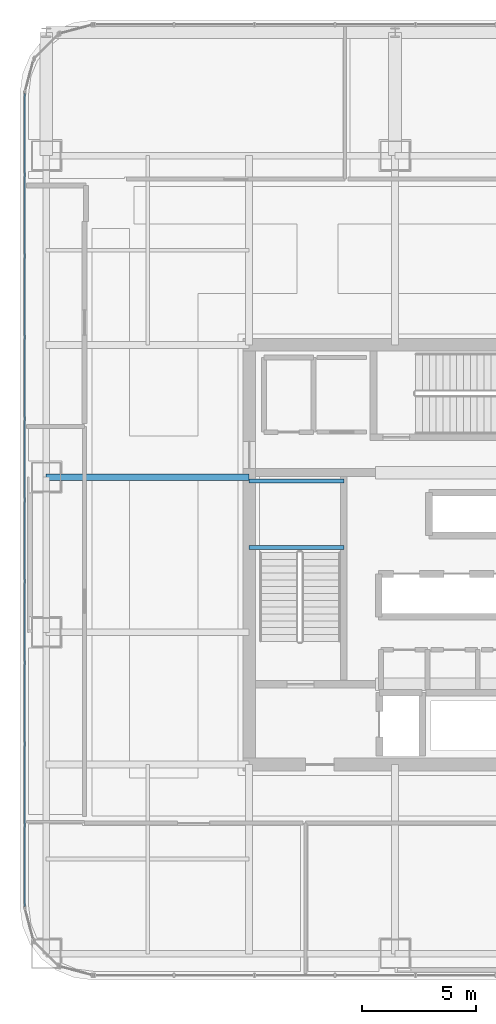
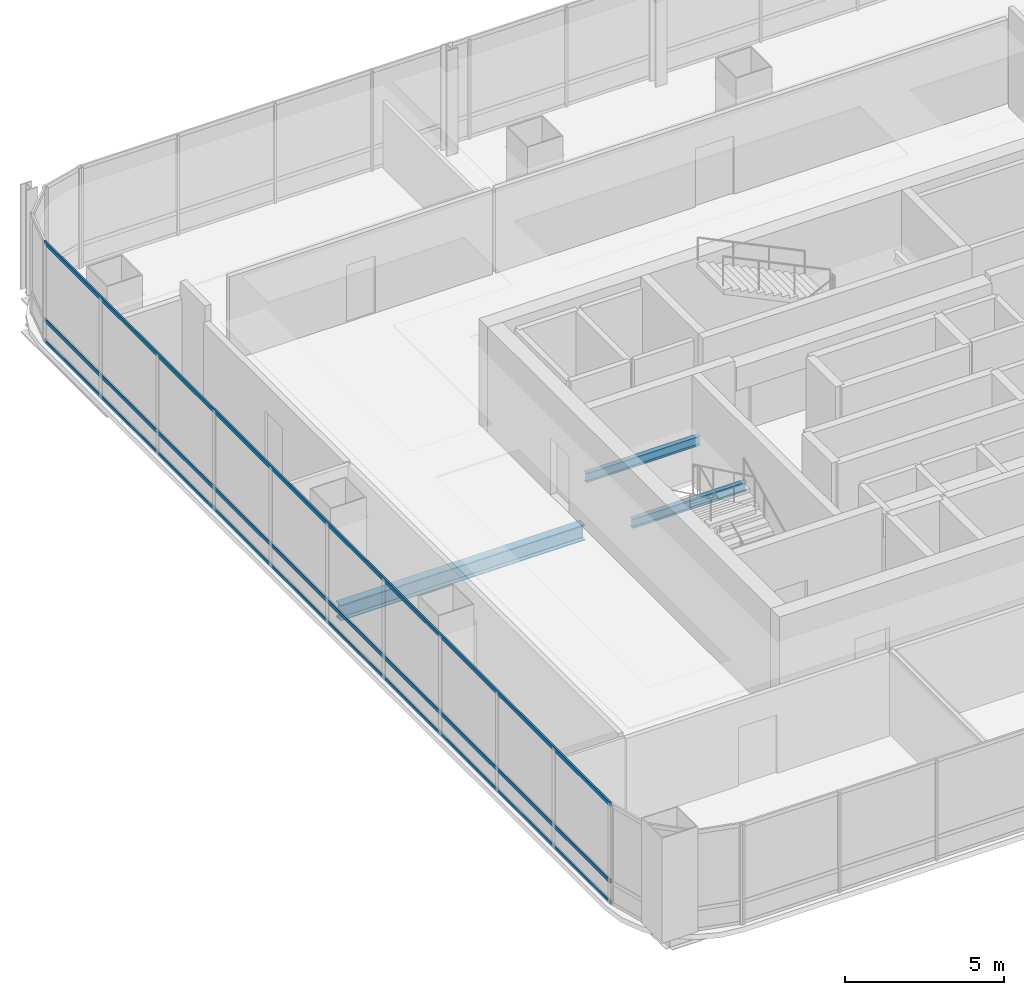
# One storey, part 11 of 42: 3 beams, 3 members, 1 element without a shape of its own.
"""IFC4 building model written with IfcOpenShell, lengths in metres."""

from ifc_helpers import new_model, si_unit, direction, frame, origin, origin_2d, place, context, subcontext, project, spatial, hollow_rectangle, i_section, extrude, material, material_profile, profile_set, type_object, element, aggregate, save


model = new_model("IFC4")

# Units and contexts
model_context = context("Model", 3, precision=1e-05, world=origin(), true_north=direction((0.0, 1.0)))
body_context = subcontext(model_context, "Body", "Model", "MODEL_VIEW")
ifc_project = project(units=[si_unit("LENGTHUNIT", "METRE"), si_unit("AREAUNIT", "SQUARE_METRE"), si_unit("VOLUMEUNIT", "CUBIC_METRE"), si_unit("PLANEANGLEUNIT", "RADIAN"), si_unit("MASSUNIT", "GRAM", prefix="KILO")], contexts=[model_context])

# Site, building, storey
site_placement = place(None, origin())
site = spatial("IfcSite", under=ifc_project, at=site_placement, CompositionType="ELEMENT")
building_placement = place(site_placement, origin())
building = spatial("IfcBuilding", under=site, at=building_placement, Name="Punatoya Terracotta Tower", CompositionType="ELEMENT")
storey_placement = place(building_placement, frame((0.0, 0.0, 259.5)))
storey = spatial("IfcBuildingStorey", under=building, at=storey_placement, Name="L61", CompositionType="ELEMENT", Elevation=259.5)

# Beams
ifc_material_1 = material(Name="Steel S355", Category="steel")
ifc_material_profile_1 = material_profile(ifc_material_1, i_section(OverallWidth=0.300048828125, OverallDepth=0.60009765625, WebThickness=0.015380859375, FlangeThickness=0.030029296875, FilletRadius=0.01806640625, at=origin_2d()))
ifc_profile_set_1 = profile_set([ifc_material_profile_1], Name="Steel S355")
beam_type_1 = type_object("IfcBeamType", Name="BM-PRI-600", PredefinedType="BEAM", material=ifc_profile_set_1)
beam_placement = place(storey_placement, frame((-19.10009765625, 3.39990234375, -0.5), z_axis=(1.0, 0.0, 0.0), x_axis=(0.0, 1.0, 0.0)))
element("IfcBeam", 1, at=beam_placement, inside=storey, type_object=beam_type_1, Name="BM-L61-PR-WE", PredefinedType="BEAM", context=body_context, shape_type="SweptSolid", body=[
    extrude(i_section(OverallWidth=0.300048828125, OverallDepth=0.60009765625, WebThickness=0.015380859375, FlangeThickness=0.030029296875, FilletRadius=0.01806640625, at=origin_2d()), origin(), (0.0, 0.0, 1.0), 8.900146484375),
])
ifc_material_profile_2 = material_profile(ifc_material_1, i_section(OverallWidth=0.169921875, OverallDepth=0.360107421875, WebThickness=0.008056640625, FlangeThickness=0.0126953125, FilletRadius=0.01806640625, at=origin_2d()))
ifc_profile_set_2 = profile_set([ifc_material_profile_2], Name="Steel S355")
beam_type_2 = type_object("IfcBeamType", Name="BM-SEC-360", PredefinedType="JOIST", material=ifc_profile_set_2)
for number, where, z_axis, x_axis, name in (
    (2, (-10.199951171875, 0.320068359375, 1.64501953125), (1.0, 0.0, 0.0), (0.0, 1.0, 0.0), "BM-L61-ST-1-LD1A"),
    (3, (-10.199951171875, 3.22998046875, 1.64501953125), (1.0, 0.0, 0.0), (0.0, 1.0, 0.0), "BM-L61-ST-1-LD1B"),
):
    element("IfcBeam", number, at=place(storey_placement, frame(where, z_axis=z_axis, x_axis=x_axis)), inside=storey, type_object=beam_type_2, Name=name, PredefinedType="JOIST", context=body_context, shape_type="SweptSolid", body=[
        extrude(i_section(OverallWidth=0.169921875, OverallDepth=0.360107421875, WebThickness=0.008056640625, FlangeThickness=0.0126953125, FilletRadius=0.01806640625, at=origin_2d()), origin(), (0.0, 0.0, 1.0), 4.14990234375),
    ])

# Curtain wall, members
ifc_material_2 = material(Name="Aluminium 6063-T6 + Double Low-E Glass", Category="aluminium")
curtain_wall_type = type_object("IfcCurtainWallType", Name="CW-M3", PredefinedType="NOTDEFINED", material=ifc_material_2)
curtain_wall_placement = place(storey_placement, origin())
curtain_wall = element("IfcCurtainWall", 4, at=curtain_wall_placement, inside=storey, type_object=curtain_wall_type, Name="L61 Curtain Wall CW-L61-W13-1", PredefinedType="NOTDEFINED")
ifc_material_3 = material(Name="Aluminium 6063-T6", Category="aluminium")
ifc_material_profile_3 = material_profile(ifc_material_3, hollow_rectangle(XDim=0.068115234375, YDim=0.14990234375, WallThickness=0.00390625, at=origin_2d()))
ifc_profile_set_3 = profile_set([ifc_material_profile_3], Name="Aluminium 6063-T6")
member_type = type_object("IfcMemberType", Name="CW-TRN-TYP", PredefinedType="USERDEFINED", material=ifc_profile_set_3)
member_1_placement = place(storey_placement, frame((-20.050048828125, 20.23681640625, 0.0400390625), z_axis=(0.0, -1.0, 0.0), x_axis=(1.0, 0.0, 0.0)))
member_1 = element("IfcMember", 5, at=member_1_placement, type_object=member_type, Name="CW-L61-W13-1 Transom 1", ObjectType="TRANSOM", PredefinedType="USERDEFINED", context=body_context, shape_type="SweptSolid", body=[
    extrude(hollow_rectangle(XDim=0.068115234375, YDim=0.14990234375, WallThickness=0.00390625, at=origin_2d()), origin(), (0.0, 0.0, 1.0), 35.673828125),
])
member_2_placement = place(storey_placement, frame((-20.050048828125, 20.23681640625, 0.85009765625), z_axis=(0.0, -1.0, 0.0), x_axis=(1.0, 0.0, 0.0)))
member_2 = element("IfcMember", 6, at=member_2_placement, type_object=member_type, Name="CW-L61-W13-1 Transom 2", ObjectType="TRANSOM", PredefinedType="USERDEFINED", context=body_context, shape_type="SweptSolid", body=[
    extrude(hollow_rectangle(XDim=0.068115234375, YDim=0.14990234375, WallThickness=0.00390625, at=origin_2d()), origin(), (0.0, 0.0, 1.0), 35.673828125),
])
member_3_placement = place(storey_placement, frame((-20.050048828125, 20.23681640625, 3.81005859375), z_axis=(0.0, -1.0, 0.0), x_axis=(1.0, 0.0, 0.0)))
member_3 = element("IfcMember", 7, at=member_3_placement, type_object=member_type, Name="CW-L61-W13-1 Transom 3", ObjectType="TRANSOM", PredefinedType="USERDEFINED", context=body_context, shape_type="SweptSolid", body=[
    extrude(hollow_rectangle(XDim=0.068115234375, YDim=0.14990234375, WallThickness=0.00390625, at=origin_2d()), origin(), (0.0, 0.0, 1.0), 35.673828125),
])
aggregate(curtain_wall, [member_1, member_2, member_3])

save(model, "model.ifc")
